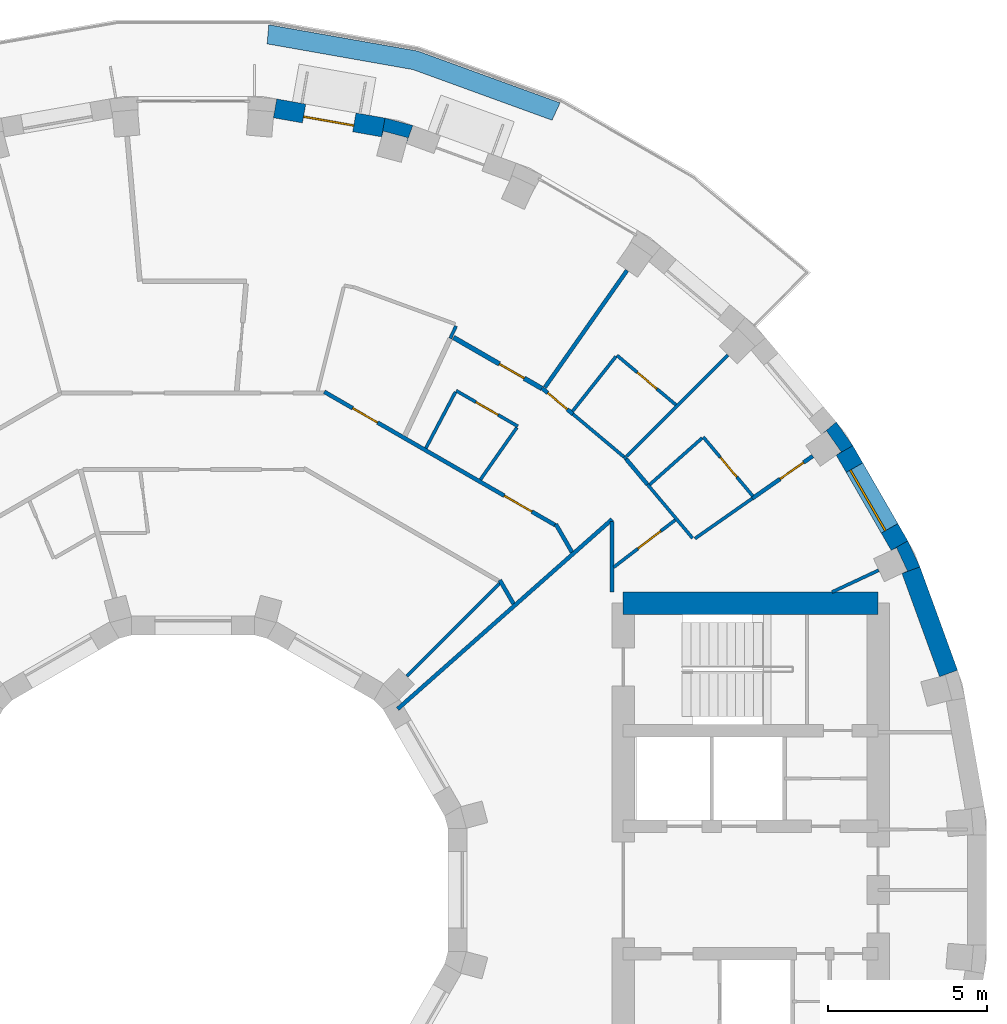
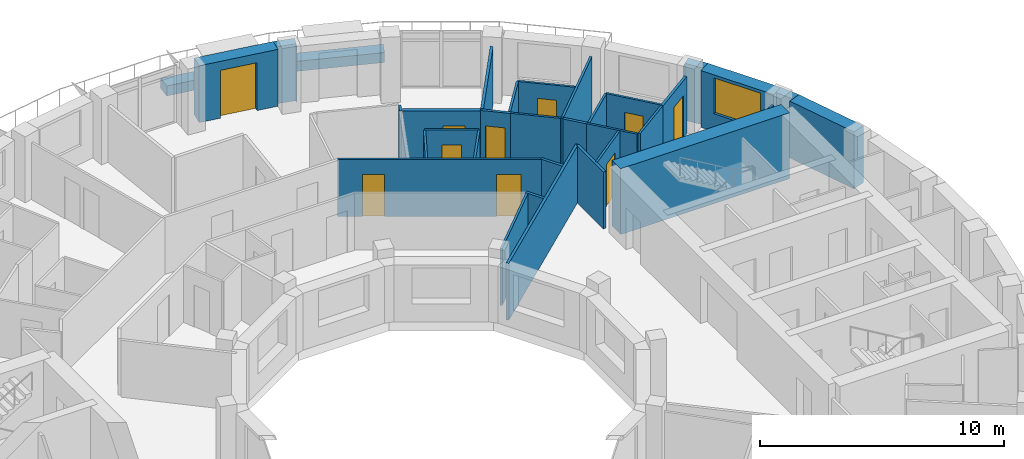
# One storey, part 11 of 13: 34 walls, 10 doors, 1 window, 11 openings.
"""IFC4 building model written with IfcOpenShell, lengths in metres."""

from ifc_helpers import new_model, si_unit, direction, frame, frame_2d, origin, place, context, subcontext, project, spatial, polyline, rectangle, outline, extrude, material, layer, layer_set, type_object, element, fill, save


model = new_model("IFC4")

# Units and contexts
model_context = context("Model", 3, precision=1e-05, world=origin(), true_north=direction((0.0, 1.0)))
body_context = subcontext(model_context, "Body", "Model", "MODEL_VIEW")
ifc_project = project(units=[si_unit("LENGTHUNIT", "METRE"), si_unit("AREAUNIT", "SQUARE_METRE"), si_unit("VOLUMEUNIT", "CUBIC_METRE"), si_unit("PLANEANGLEUNIT", "RADIAN"), si_unit("MASSUNIT", "GRAM", prefix="KILO")], contexts=[model_context])

# Site, building, storey
site_placement = place(None, origin())
site = spatial("IfcSite", under=ifc_project, at=site_placement, CompositionType="ELEMENT")
building_placement = place(site_placement, origin())
building = spatial("IfcBuilding", under=site, at=building_placement, Name="Saqina Gate Tower", CompositionType="ELEMENT")
storey_placement = place(building_placement, frame((0.0, 0.0, 207.0)))
storey = spatial("IfcBuildingStorey", under=building, at=storey_placement, Name="L59", CompositionType="ELEMENT", Elevation=207.0)

# Walls
ifc_material_1 = material(Name="Brick masonry (buff)", Category="masonry")
wall_type_1 = type_object("IfcWallType", Name="BRICK PIER COPING BUFF", PredefinedType="SOLIDWALL", material=ifc_material_1)
wall_1_placement = place(storey_placement, origin())
element("IfcWall", 1, at=wall_1_placement, inside=storey, type_object=wall_type_1, Name="Pier cap L59 column 3", PredefinedType="SOLIDWALL", context=body_context, shape_type="SweptSolid", body=[
    extrude(outline(polyline([(22.4306640625, 10.958740234375), (21.9111328125, 10.65869140625), (22.080810546875, 10.73779296875), (22.4189453125, 10.0126953125), (22.249267578125, 9.93359375), (22.81298828125, 10.138916015625), (22.4306640625, 10.958740234375)])), origin(), (0.0, 0.0, 1.0), 2.85009765625),
])
wall_2_placement = place(storey_placement, origin())
element("IfcWall", 2, at=wall_2_placement, inside=storey, type_object=wall_type_1, Name="Pier cap L59 column 4", PredefinedType="SOLIDWALL", context=body_context, shape_type="SweptSolid", body=[
    extrude(outline(polyline([(20.705810546875, 13.9462890625), (20.18701171875, 14.687255859375), (19.727294921875, 14.301513671875), (19.880859375, 14.408935546875), (20.339599609375, 13.753662109375), (20.186279296875, 13.646240234375), (20.705810546875, 13.9462890625)])), origin(), (0.0, 0.0, 1.0), 2.85009765625),
])
wall_3_placement = place(storey_placement, origin())
element("IfcWall", 3, at=wall_3_placement, inside=storey, type_object=wall_type_1, Name="Pier cap L59 column 8", PredefinedType="SOLIDWALL", context=body_context, shape_type="SweptSolid", body=[
    extrude(outline(polyline([(6.0234375, 24.22705078125), (5.919189453125, 23.635986328125), (5.967529296875, 23.81689453125), (6.740478515625, 23.610107421875), (6.69189453125, 23.428955078125), (6.897216796875, 23.992919921875), (6.0234375, 24.22705078125)])), origin(), (0.0, 0.0, 1.0), 2.85009765625),
])

# Wall, opening, window
ifc_material_2 = material(Name="Brick masonry (buff)", Category="masonry")
ifc_layer_1 = layer(ifc_material_2, 0.60009765625)
ifc_layer_set_1 = layer_set([ifc_layer_1], Name="FW-BRICK-BUFF")
wall_type_2 = type_object("IfcWallType", Name="FW-BRICK-BUFF", PredefinedType="SOLIDWALL", material=ifc_layer_set_1)
wall_4_placement = place(storey_placement, frame((22.1708984375, 10.80859375, 0.0), z_axis=(0.0, 0.0, 1.0), x_axis=(-0.499998129301, 0.86602648383, 0.0)))
wall_4 = element("IfcWall", 4, at=wall_4_placement, inside=storey, type_object=wall_type_2, Name="Facade wall L59 facet 3", PredefinedType="SOLIDWALL", context=body_context, shape_type="SweptSolid", body=[
    extrude(rectangle(XDim=3.44970703125, YDim=0.60009765625, at=frame_2d((1.724853515625, 0.0))), origin(), (0.0, 0.0, 1.0), 2.85009765625),
])
opening_1_placement = place(wall_4_placement, frame((0.625, 0.0, 0.89990234375)))
opening_1 = element("IfcOpeningElement", 5, at=opening_1_placement, cuts=wall_4, Name="Opening G17-W01", PredefinedType="OPENING", context=body_context, shape_type="SweptSolid", body=[
    extrude(rectangle(XDim=2.199951171875, YDim=1.800048828125, at=frame_2d((1.10009765625, 0.89990234375))), frame((0.0, 0.31201171875, 0.0), z_axis=(0.0, -1.0, 0.0), x_axis=(1.0, 0.0, 0.0)), (0.0, 0.0, 1.0), 0.6240234375),
])
ifc_material_3 = material(Name="Aluminium glazing", Category="aluminium")
window_type = type_object("IfcWindowType", Name="WN-C", PartitioningType="SINGLE_PANEL", PredefinedType="WINDOW", material=ifc_material_3)
window_placement = place(opening_1_placement, origin())
window = element("IfcWindow", 6, at=window_placement, inside=storey, type_object=window_type, Name="Window L59 facet 3", OverallHeight=1.800048828125, OverallWidth=2.199951171875, PartitioningType="SINGLE_PANEL", PredefinedType="WINDOW", context=body_context, shape_type="SweptSolid", body=[
    extrude(rectangle(XDim=2.199951171875, YDim=1.800048828125, at=frame_2d((1.10009765625, 0.89990234375))), frame((0.0, 0.179931640625, 0.0), z_axis=(0.0, -1.0, 0.0), x_axis=(1.0, 0.0, 0.0)), (0.0, 0.0, 1.0), 0.06005859375),
])
fill(opening_1, window)

# Wall, opening, door
wall_5_placement = place(storey_placement, frame((5.97119140625, 23.931640625, 0.0), z_axis=(0.0, 0.0, 1.0), x_axis=(-0.984814892183, 0.173607684551, 0.0)))
wall_5 = element("IfcWall", 7, at=wall_5_placement, inside=storey, type_object=wall_type_2, Name="Facade wall L59 facet 8", PredefinedType="SOLIDWALL", context=body_context, shape_type="SweptSolid", body=[
    extrude(rectangle(XDim=3.44970703125, YDim=0.60009765625, at=frame_2d((1.724853515625, 0.0))), origin(), (0.0, 0.0, 1.0), 2.85009765625),
])
opening_2_placement = place(wall_5_placement, frame((0.9248046875, 0.0, 0.0)))
opening_2 = element("IfcOpeningElement", 8, at=opening_2_placement, cuts=wall_5, Name="Opening G17-D81", PredefinedType="OPENING", context=body_context, shape_type="SweptSolid", body=[
    extrude(rectangle(XDim=1.60009765625, YDim=2.39990234375, at=frame_2d((0.800048828125, 1.199951171875))), frame((0.0, 0.31201171875, 0.0), z_axis=(0.0, -1.0, 0.0), x_axis=(1.0, 0.0, 0.0)), (0.0, 0.0, 1.0), 0.6240234375),
])
ifc_material_4 = material(Name="Aluminium glazing", Category="aluminium")
door_type_1 = type_object("IfcDoorType", Name="GD-C", OperationType="DOUBLE_DOOR_SINGLE_SWING", PredefinedType="DOOR", material=ifc_material_4)
door_1_placement = place(opening_2_placement, origin())
door_1 = element("IfcDoor", 9, at=door_1_placement, inside=storey, type_object=door_type_1, Name="Terrace door L59 facet 8", OperationType="DOUBLE_DOOR_SINGLE_SWING", OverallHeight=2.39990234375, OverallWidth=1.60009765625, PredefinedType="DOOR", context=body_context, shape_type="SweptSolid", body=[
    extrude(rectangle(XDim=1.60009765625, YDim=2.39990234375, at=frame_2d((0.800048828125, 1.199951171875))), frame((0.0, 0.125, 0.0), z_axis=(0.0, -1.0, 0.0), x_axis=(1.0, 0.0, 0.0)), (0.0, 0.0, 1.0), 0.050048828125),
])
fill(opening_2, door_1)

# Walls
ifc_material_5 = material(Name="Glazed ceramic tile", Category="ceramic")
ifc_layer_2 = layer(ifc_material_5, 0.60009765625)
ifc_layer_set_2 = layer_set([ifc_layer_2], Name="FW-TILE")
wall_type_3 = type_object("IfcWallType", Name="FW-TILE", PredefinedType="SOLIDWALL", material=ifc_layer_set_2)
wall_6_placement = place(storey_placement, frame((23.7109375, 6.79443359375, 0.0), z_axis=(0.0, 0.0, 1.0), x_axis=(-0.342032843455, 0.93968799822, 0.0)))
element("IfcWall", 10, at=wall_6_placement, inside=storey, type_object=wall_type_3, Name="Facade wall L59 facet 2", PredefinedType="SOLIDWALL", context=body_context, shape_type="SweptSolid", body=[
    extrude(rectangle(XDim=3.44970703125, YDim=0.60009765625, at=frame_2d((1.724853515625, 0.0))), origin(), (0.0, 0.0, 1.0), 2.85009765625),
])
ifc_material_6 = material(Name="Gypsum board on steel studs, 100 mm", Category="steel")
ifc_layer_3 = layer(ifc_material_6, 0.10009765625)
ifc_layer_set_3 = layer_set([ifc_layer_3], Name="PARTITION 100")
wall_type_4 = type_object("IfcWallType", Name="PARTITION 100", PredefinedType="PARTITIONING", material=ifc_layer_set_3)
wall_7_placement = place(storey_placement, frame((13.5283203125, 13.599853515625, 0.0), z_axis=(0.0, 0.0, 1.0), x_axis=(0.643986628051, -0.765036746106, 0.0)))
element("IfcWall", 11, at=wall_7_placement, inside=storey, type_object=wall_type_4, Name="PARTITION PW3-17", PredefinedType="PARTITIONING", context=body_context, shape_type="SweptSolid", body=[
    extrude(rectangle(XDim=0.100830078125, YDim=0.10009765625, at=frame_2d((0.05029296875, 0.0))), origin(), (0.0, 0.0, 1.0), 2.85009765625),
])
wall_8_placement = place(storey_placement, frame((14.26123046875, 12.7275390625, 0.0), z_axis=(0.0, 0.0, 1.0), x_axis=(0.643254486379, -0.76565244449, 0.0)))
element("IfcWall", 12, at=wall_8_placement, inside=storey, type_object=wall_type_4, Name="PARTITION PW3-18", PredefinedType="PARTITIONING", context=body_context, shape_type="SweptSolid", body=[
    extrude(rectangle(XDim=2.2021484375, YDim=0.10009765625, at=frame_2d((1.10107421875, 0.0))), origin(), (0.0, 0.0, 1.0), 2.85009765625),
])

# Wall, opening, door
wall_9_placement = place(storey_placement, frame((16.012939453125, 14.216064453125, 0.0), z_axis=(0.0, 0.0, 1.0), x_axis=(0.642879705086, -0.765967156468, 0.0)))
wall_9 = element("IfcWall", 13, at=wall_9_placement, inside=storey, type_object=wall_type_4, Name="PARTITION PW3-19", PredefinedType="PARTITIONING", context=body_context, shape_type="SweptSolid", body=[
    extrude(rectangle(XDim=2.419921875, YDim=0.10009765625, at=frame_2d((1.2099609375, 0.0))), origin(), (0.0, 0.0, 1.0), 2.85009765625),
])
opening_3_placement = place(wall_9_placement, frame((0.835205078125, 0.0, 0.0)))
opening_3 = element("IfcOpeningElement", 14, at=opening_3_placement, cuts=wall_9, Name="Opening G17-D03", PredefinedType="OPENING", context=body_context, shape_type="SweptSolid", body=[
    extrude(rectangle(XDim=0.800048828125, YDim=2.10009765625, at=frame_2d((0.39990234375, 1.050048828125))), frame((0.0, 0.06201171875, 0.0), z_axis=(0.0, -1.0, 0.0), x_axis=(1.0, 0.0, 0.0)), (0.0, 0.0, 1.0), 0.1240234375),
])
ifc_material_7 = material(Name="Timber door leaf, 800 mm", Category="wood")
door_type_2 = type_object("IfcDoorType", Name="DOOR 800 TIMBER", OperationType="SINGLE_SWING_LEFT", PredefinedType="DOOR", material=ifc_material_7)
door_2_placement = place(opening_3_placement, origin())
door_2 = element("IfcDoor", 15, at=door_2_placement, inside=storey, type_object=door_type_2, Name="DOOR G17-D03", OperationType="SINGLE_SWING_RIGHT", OverallHeight=2.10009765625, OverallWidth=0.800048828125, PredefinedType="DOOR", context=body_context, shape_type="SweptSolid", body=[
    extrude(rectangle(XDim=0.800048828125, YDim=2.10009765625, at=frame_2d((0.39990234375, 1.050048828125))), frame((0.0, 0.02490234375, 0.0), z_axis=(0.0, -1.0, 0.0), x_axis=(1.0, 0.0, 0.0)), (0.0, 0.0, 1.0), 0.050048828125),
])
fill(opening_3, door_2)

# Wall
wall_10_placement = place(storey_placement, frame((11.919921875, 14.93798828125, 0.0), z_axis=(0.0, 0.0, 1.0), x_axis=(0.766132236748, -0.6426829668, 0.0)))
element("IfcWall", 16, at=wall_10_placement, inside=storey, type_object=wall_type_4, Name="PARTITION PW3-24", PredefinedType="PARTITIONING", context=body_context, shape_type="SweptSolid", body=[
    extrude(rectangle(XDim=2.09228515625, YDim=0.10009765625, at=frame_2d((1.046142578125, 0.0))), origin(), (0.0, 0.0, 1.0), 2.85009765625),
])

# Wall, opening, door
wall_11_placement = place(storey_placement, frame((13.301025390625, 16.781005859375, 0.0), z_axis=(0.0, 0.0, 1.0), x_axis=(0.765959173968, -0.642889215817, 0.0)))
wall_11 = element("IfcWall", 17, at=wall_11_placement, inside=storey, type_object=wall_type_4, Name="PARTITION PW3-25", PredefinedType="PARTITIONING", context=body_context, shape_type="SweptSolid", body=[
    extrude(rectangle(XDim=2.420166015625, YDim=0.10009765625, at=frame_2d((1.2099609375, 0.0))), origin(), (0.0, 0.0, 1.0), 2.85009765625),
])
opening_4_placement = place(wall_11_placement, frame((0.835205078125, 0.0, 0.0)))
opening_4 = element("IfcOpeningElement", 18, at=opening_4_placement, cuts=wall_11, Name="Opening G17-D04", PredefinedType="OPENING", context=body_context, shape_type="SweptSolid", body=[
    extrude(rectangle(XDim=0.800048828125, YDim=2.10009765625, at=frame_2d((0.39990234375, 1.050048828125))), frame((0.0, 0.06201171875, 0.0), z_axis=(0.0, -1.0, 0.0), x_axis=(1.0, 0.0, 0.0)), (0.0, 0.0, 1.0), 0.1240234375),
])
door_3_placement = place(opening_4_placement, origin())
door_3 = element("IfcDoor", 19, at=door_3_placement, inside=storey, type_object=door_type_2, Name="DOOR G17-D04", OperationType="SINGLE_SWING_RIGHT", OverallHeight=2.10009765625, OverallWidth=0.800048828125, PredefinedType="DOOR", context=body_context, shape_type="SweptSolid", body=[
    extrude(rectangle(XDim=0.800048828125, YDim=2.10009765625, at=frame_2d((0.39990234375, 1.050048828125))), frame((0.0, 0.02490234375, 0.0), z_axis=(0.0, -1.0, 0.0), x_axis=(1.0, 0.0, 0.0)), (0.0, 0.0, 1.0), 0.050048828125),
])
fill(opening_4, door_3)

wall_12_placement = place(storey_placement, frame((8.257080078125, 15.6708984375, 0.0), z_axis=(0.0, 0.0, 1.0), x_axis=(0.86593977979, -0.500148275791, 0.0)))
wall_12 = element("IfcWall", 20, at=wall_12_placement, inside=storey, type_object=wall_type_4, Name="PARTITION PW3-29", PredefinedType="PARTITIONING", context=body_context, shape_type="SweptSolid", body=[
    extrude(rectangle(XDim=2.233154296875, YDim=0.10009765625, at=frame_2d((1.11669921875, 0.0))), origin(), (0.0, 0.0, 1.0), 2.85009765625),
])
opening_5_placement = place(wall_12_placement, frame((0.716796875, 0.0, 0.0)))
opening_5 = element("IfcOpeningElement", 21, at=opening_5_placement, cuts=wall_12, Name="Opening G17-D08", PredefinedType="OPENING", context=body_context, shape_type="SweptSolid", body=[
    extrude(rectangle(XDim=0.800048828125, YDim=2.10009765625, at=frame_2d((0.39990234375, 1.050048828125))), frame((0.0, 0.06201171875, 0.0), z_axis=(0.0, -1.0, 0.0), x_axis=(1.0, 0.0, 0.0)), (0.0, 0.0, 1.0), 0.1240234375),
])
door_4_placement = place(opening_5_placement, origin())
door_4 = element("IfcDoor", 22, at=door_4_placement, inside=storey, type_object=door_type_2, Name="DOOR G17-D08", OperationType="SINGLE_SWING_RIGHT", OverallHeight=2.10009765625, OverallWidth=0.800048828125, PredefinedType="DOOR", context=body_context, shape_type="SweptSolid", body=[
    extrude(rectangle(XDim=0.800048828125, YDim=2.10009765625, at=frame_2d((0.39990234375, 1.050048828125))), frame((0.0, 0.02490234375, 0.0), z_axis=(0.0, -1.0, 0.0), x_axis=(1.0, 0.0, 0.0)), (0.0, 0.0, 1.0), 0.050048828125),
])
fill(opening_5, door_4)

# Walls
wall_13_placement = place(storey_placement, frame((20.052978515625, 9.35009765625, 0.0), z_axis=(0.0, 0.0, 1.0), x_axis=(0.906055596822, 0.423158664648, 0.0)))
element("IfcWall", 23, at=wall_13_placement, inside=storey, type_object=wall_type_4, Name="PARTITION PW3-41", PredefinedType="PARTITIONING", context=body_context, shape_type="SweptSolid", body=[
    extrude(rectangle(XDim=1.6142578125, YDim=0.10009765625, at=frame_2d((0.80712890625, 0.0))), origin(), (0.0, 0.0, 1.0), 2.85009765625),
])
wall_14_placement = place(storey_placement, frame((15.7509765625, 11.028564453125, 0.0), z_axis=(0.0, 0.0, 1.0), x_axis=(0.819158790137, 0.573566802161, 0.0)))
element("IfcWall", 24, at=wall_14_placement, inside=storey, type_object=wall_type_4, Name="PARTITION PW3-47", PredefinedType="PARTITIONING", context=body_context, shape_type="SweptSolid", body=[
    extrude(rectangle(XDim=2.196044921875, YDim=0.10009765625, at=frame_2d((1.09814453125, 0.0))), origin(), (0.0, 0.0, 1.0), 2.85009765625),
])

# Wall, opening, door
wall_15_placement = place(storey_placement, frame((13.200439453125, 10.12890625, 0.0), z_axis=(0.0, 0.0, 1.0), x_axis=(0.793343125349, 0.608774741149, 0.0)))
wall_15 = element("IfcWall", 25, at=wall_15_placement, inside=storey, type_object=wall_type_4, Name="PARTITION PW3-48", PredefinedType="PARTITIONING", context=body_context, shape_type="SweptSolid", body=[
    extrude(rectangle(XDim=2.433837890625, YDim=0.10009765625, at=frame_2d((1.216796875, 0.0))), origin(), (0.0, 0.0, 1.0), 2.85009765625),
])
opening_6_placement = place(wall_15_placement, frame((0.960693359375, 0.0, 0.0)))
opening_6 = element("IfcOpeningElement", 26, at=opening_6_placement, cuts=wall_15, Name="Opening G17-D02", PredefinedType="OPENING", context=body_context, shape_type="SweptSolid", body=[
    extrude(rectangle(XDim=0.89990234375, YDim=2.10009765625, at=frame_2d((0.449951171875, 1.050048828125))), frame((0.0, 0.06201171875, 0.0), z_axis=(0.0, -1.0, 0.0), x_axis=(1.0, 0.0, 0.0)), (0.0, 0.0, 1.0), 0.1240234375),
])
ifc_material_8 = material(Name="Timber door leaf, 900 mm", Category="wood")
door_type_3 = type_object("IfcDoorType", Name="DOOR 900 TIMBER", OperationType="SINGLE_SWING_LEFT", PredefinedType="DOOR", material=ifc_material_8)
door_5_placement = place(opening_6_placement, frame((0.89990234375, 0.0, 0.0), z_axis=(0.0, 0.0, 1.0), x_axis=(-1.0, 0.0, 0.0)))
door_5 = element("IfcDoor", 27, at=door_5_placement, inside=storey, type_object=door_type_3, Name="DOOR G17-D02", OperationType="SINGLE_SWING_LEFT", OverallHeight=2.10009765625, OverallWidth=0.89990234375, PredefinedType="DOOR", context=body_context, shape_type="SweptSolid", body=[
    extrude(rectangle(XDim=0.89990234375, YDim=2.10009765625, at=frame_2d((0.449951171875, 1.050048828125))), frame((0.0, 0.02490234375, 0.0), z_axis=(0.0, -1.0, 0.0), x_axis=(1.0, 0.0, 0.0)), (0.0, 0.0, 1.0), 0.050048828125),
])
fill(opening_6, door_5)

# Walls
wall_16_placement = place(storey_placement, frame((14.330322265625, 12.72216796875, 0.0), z_axis=(0.0, 0.0, 1.0), x_axis=(0.747807135499, 0.663916024883, 0.0)))
element("IfcWall", 28, at=wall_16_placement, inside=storey, type_object=wall_type_4, Name="PARTITION PW3-51", PredefinedType="PARTITIONING", context=body_context, shape_type="SweptSolid", body=[
    extrude(rectangle(XDim=2.2001953125, YDim=0.10009765625, at=frame_2d((1.10009765625, 0.0))), origin(), (0.0, 0.0, 1.0), 2.85009765625),
])
wall_17_placement = place(storey_placement, frame((6.7119140625, 6.7119140625, 0.0), z_axis=(0.0, 0.0, 1.0), x_axis=(0.707106781187, 0.707106781187, 0.0)))
element("IfcWall", 29, at=wall_17_placement, inside=storey, type_object=wall_type_4, Name="PARTITION PW3-52", PredefinedType="PARTITIONING", context=body_context, shape_type="SweptSolid", body=[
    extrude(rectangle(XDim=4.111083984375, YDim=0.10009765625, at=frame_2d((2.0556640625, 0.0))), origin(), (0.0, 0.0, 1.0), 2.85009765625),
])
wall_18_placement = place(storey_placement, frame((13.605224609375, 13.605224609375, 0.0), z_axis=(0.0, 0.0, 1.0), x_axis=(0.707106781187, 0.707106781187, 0.0)))
element("IfcWall", 30, at=wall_18_placement, inside=storey, type_object=wall_type_4, Name="PARTITION PW3-53", PredefinedType="PARTITIONING", context=body_context, shape_type="SweptSolid", body=[
    extrude(rectangle(XDim=4.499267578125, YDim=0.10009765625, at=frame_2d((2.24951171875, 0.0))), origin(), (0.0, 0.0, 1.0), 2.85009765625),
])
wall_19_placement = place(storey_placement, frame((11.910888671875, 15.027099609375, 0.0), z_axis=(0.0, 0.0, 1.0), x_axis=(0.621191557247, 0.783658758137, 0.0)))
element("IfcWall", 31, at=wall_19_placement, inside=storey, type_object=wall_type_4, Name="PARTITION PW3-54", PredefinedType="PARTITIONING", context=body_context, shape_type="SweptSolid", body=[
    extrude(rectangle(XDim=2.18798828125, YDim=0.10009765625, at=frame_2d((1.093994140625, 0.0))), origin(), (0.0, 0.0, 1.0), 2.85009765625),
])
wall_20_placement = place(storey_placement, frame((9.017822265625, 12.879150390625, 0.0), z_axis=(0.0, 0.0, 1.0), x_axis=(0.573758011137, 0.81902487426, 0.0)))
element("IfcWall", 32, at=wall_20_placement, inside=storey, type_object=wall_type_4, Name="PARTITION PW3-55", PredefinedType="PARTITIONING", context=body_context, shape_type="SweptSolid", body=[
    extrude(rectangle(XDim=1.994873046875, YDim=0.10009765625, at=frame_2d((0.99755859375, 0.0))), origin(), (0.0, 0.0, 1.0), 2.85009765625),
])
wall_21_placement = place(storey_placement, frame((7.30615234375, 13.8671875, 0.0), z_axis=(0.0, 0.0, 1.0), x_axis=(0.466307877011, 0.884622497926, 0.0)))
element("IfcWall", 33, at=wall_21_placement, inside=storey, type_object=wall_type_4, Name="PARTITION PW3-61", PredefinedType="PARTITIONING", context=body_context, shape_type="SweptSolid", body=[
    extrude(rectangle(XDim=1.989013671875, YDim=0.10009765625, at=frame_2d((0.99462890625, 0.0))), origin(), (0.0, 0.0, 1.0), 2.85009765625),
])
wall_22_placement = place(storey_placement, frame((8.072021484375, 17.313720703125, 0.0), z_axis=(0.0, 0.0, 1.0), x_axis=(0.424639138258, 0.905362691003, 0.0)))
element("IfcWall", 34, at=wall_22_placement, inside=storey, type_object=wall_type_4, Name="PARTITION PW3-62", PredefinedType="PARTITIONING", context=body_context, shape_type="SweptSolid", body=[
    extrude(rectangle(XDim=0.426513671875, YDim=0.10009765625, at=frame_2d((0.21337890625, 0.0))), origin(), (0.0, 0.0, 1.0), 2.85009765625),
])
ifc_material_9 = material(Name="Gypsum board on steel studs, 125 mm, fire rated", Category="steel")
ifc_layer_4 = layer(ifc_material_9, 0.125)
ifc_layer_set_4 = layer_set([ifc_layer_4], Name="PARTITION EI 30 125")
wall_type_5 = type_object("IfcWallType", Name="PARTITION EI 30 125", PredefinedType="PARTITIONING", material=ifc_layer_set_4)
wall_23_placement = place(storey_placement, frame((9.62548828125, 9.727783203125, 0.0), z_axis=(0.0, 0.0, 1.0), x_axis=(0.500456591983, -0.865761629746, 0.0)))
element("IfcWall", 35, at=wall_23_placement, inside=storey, type_object=wall_type_5, Name="PARTITION PW1-04", PredefinedType="PARTITIONING", context=body_context, shape_type="SweptSolid", body=[
    extrude(rectangle(XDim=0.863525390625, YDim=0.125, at=frame_2d((0.431640625, 0.0))), origin(), (0.0, 0.0, 1.0), 2.85009765625),
])
wall_24_placement = place(storey_placement, frame((11.3837890625, 11.482421875, 0.0), z_axis=(0.0, 0.0, 1.0), x_axis=(0.500249562609, -0.865881270792, 0.0)))
element("IfcWall", 36, at=wall_24_placement, inside=storey, type_object=wall_type_5, Name="PARTITION PW1-05", PredefinedType="PARTITIONING", context=body_context, shape_type="SweptSolid", body=[
    extrude(rectangle(XDim=1.015625, YDim=0.125, at=frame_2d((0.5078125, 0.0))), origin(), (0.0, 0.0, 1.0), 2.85009765625),
])
wall_25_placement = place(storey_placement, frame((13.59326171875, 13.522705078125, 0.0), z_axis=(0.0, 0.0, 1.0), x_axis=(0.642817053057, -0.766019736233, 0.0)))
element("IfcWall", 37, at=wall_25_placement, inside=storey, type_object=wall_type_5, Name="PARTITION PW1-06", PredefinedType="PARTITIONING", context=body_context, shape_type="SweptSolid", body=[
    extrude(rectangle(XDim=1.038330078125, YDim=0.125, at=frame_2d((0.51904296875, 0.0))), origin(), (0.0, 0.0, 1.0), 2.85009765625),
])

# Wall, opening, door
wall_26_placement = place(storey_placement, frame((10.951416015625, 15.750732421875, 0.0), z_axis=(0.0, 0.0, 1.0), x_axis=(0.76592162119, -0.642933954768, 0.0)))
wall_26 = element("IfcWall", 38, at=wall_26_placement, inside=storey, type_object=wall_type_5, Name="PARTITION PW1-12", PredefinedType="PARTITIONING", context=body_context, shape_type="SweptSolid", body=[
    extrude(rectangle(XDim=1.264404296875, YDim=0.125, at=frame_2d((0.63232421875, 0.0))), origin(), (0.0, 0.0, 1.0), 2.85009765625),
])
opening_7_placement = place(wall_26_placement, frame((0.232666015625, 0.0, 0.0)))
opening_7 = element("IfcOpeningElement", 39, at=opening_7_placement, cuts=wall_26, Name="Opening G17-D06", PredefinedType="OPENING", context=body_context, shape_type="SweptSolid", body=[
    extrude(rectangle(XDim=0.800048828125, YDim=2.10009765625, at=frame_2d((0.39990234375, 1.050048828125))), frame((0.0, 0.074462890625, 0.0), z_axis=(0.0, -1.0, 0.0), x_axis=(1.0, 0.0, 0.0)), (0.0, 0.0, 1.0), 0.14892578125),
])
ifc_material_10 = material(Name="Fire door leaf EI 30, 800 mm")
door_type_4 = type_object("IfcDoorType", Name="DOOR 800 EI 30", OperationType="SINGLE_SWING_LEFT", PredefinedType="DOOR", material=ifc_material_10)
door_6_placement = place(opening_7_placement, frame((0.800048828125, 0.0, 0.0), z_axis=(0.0, 0.0, 1.0), x_axis=(-1.0, 0.0, 0.0)))
door_6 = element("IfcDoor", 40, at=door_6_placement, inside=storey, type_object=door_type_4, Name="DOOR G17-D06", OperationType="SINGLE_SWING_RIGHT", OverallHeight=2.10009765625, OverallWidth=0.800048828125, PredefinedType="DOOR", context=body_context, shape_type="SweptSolid", body=[
    extrude(rectangle(XDim=0.800048828125, YDim=2.10009765625, at=frame_2d((0.39990234375, 1.050048828125))), frame((0.0, 0.02490234375, 0.0), z_axis=(0.0, -1.0, 0.0), x_axis=(1.0, 0.0, 0.0)), (0.0, 0.0, 1.0), 0.050048828125),
])
fill(opening_7, door_6)

# Wall, openings, doors
wall_27_placement = place(storey_placement, frame((4.117431640625, 15.635986328125, 0.0), z_axis=(0.0, 0.0, 1.0), x_axis=(0.866032091518, -0.499988416326, 0.0)))
wall_27 = element("IfcWall", 41, at=wall_27_placement, inside=storey, type_object=wall_type_5, Name="PARTITION PW1-18", PredefinedType="PARTITIONING", context=body_context, shape_type="SweptSolid", body=[
    extrude(rectangle(XDim=8.369873046875, YDim=0.125, at=frame_2d((4.18505859375, 0.0))), origin(), (0.0, 0.0, 1.0), 2.85009765625),
])
opening_8_placement = place(wall_27_placement, frame((6.5244140625, 0.0, 0.0)))
opening_8 = element("IfcOpeningElement", 42, at=opening_8_placement, cuts=wall_27, Name="Opening G17-D05", PredefinedType="OPENING", context=body_context, shape_type="SweptSolid", body=[
    extrude(rectangle(XDim=1.0, YDim=2.10009765625, at=frame_2d((0.5, 1.050048828125))), frame((0.0, 0.074462890625, 0.0), z_axis=(0.0, -1.0, 0.0), x_axis=(1.0, 0.0, 0.0)), (0.0, 0.0, 1.0), 0.14892578125),
])
opening_9_placement = place(wall_27_placement, frame((1.02978515625, 0.0, 0.0)))
opening_9 = element("IfcOpeningElement", 43, at=opening_9_placement, cuts=wall_27, Name="Opening G17-D09", PredefinedType="OPENING", context=body_context, shape_type="SweptSolid", body=[
    extrude(rectangle(XDim=0.89990234375, YDim=2.10009765625, at=frame_2d((0.449951171875, 1.050048828125))), frame((0.0, 0.074462890625, 0.0), z_axis=(0.0, -1.0, 0.0), x_axis=(1.0, 0.0, 0.0)), (0.0, 0.0, 1.0), 0.14892578125),
])
ifc_material_11 = material(Name="Fire door leaf EI 30, 1000 mm")
door_type_5 = type_object("IfcDoorType", Name="DOOR 1000 EI 30", OperationType="SINGLE_SWING_LEFT", PredefinedType="DOOR", material=ifc_material_11)
door_7_placement = place(opening_8_placement, origin())
door_7 = element("IfcDoor", 44, at=door_7_placement, inside=storey, type_object=door_type_5, Name="DOOR G17-D05", OperationType="SINGLE_SWING_RIGHT", OverallHeight=2.10009765625, OverallWidth=1.0, PredefinedType="DOOR", context=body_context, shape_type="SweptSolid", body=[
    extrude(rectangle(XDim=1.0, YDim=2.10009765625, at=frame_2d((0.5, 1.050048828125))), frame((0.0, 0.02490234375, 0.0), z_axis=(0.0, -1.0, 0.0), x_axis=(1.0, 0.0, 0.0)), (0.0, 0.0, 1.0), 0.050048828125),
])
fill(opening_8, door_7)
ifc_material_12 = material(Name="Fire door leaf EI 30, 900 mm")
door_type_6 = type_object("IfcDoorType", Name="DOOR 900 EI 30", OperationType="SINGLE_SWING_LEFT", PredefinedType="DOOR", material=ifc_material_12)
door_8_placement = place(opening_9_placement, origin())
door_8 = element("IfcDoor", 45, at=door_8_placement, inside=storey, type_object=door_type_6, Name="DOOR G17-D09", OperationType="SINGLE_SWING_LEFT", OverallHeight=2.10009765625, OverallWidth=0.89990234375, PredefinedType="DOOR", context=body_context, shape_type="SweptSolid", body=[
    extrude(rectangle(XDim=0.89990234375, YDim=2.10009765625, at=frame_2d((0.449951171875, 1.050048828125))), frame((0.0, 0.02490234375, 0.0), z_axis=(0.0, -1.0, 0.0), x_axis=(1.0, 0.0, 0.0)), (0.0, 0.0, 1.0), 0.050048828125),
])
fill(opening_9, door_8)

# Wall, opening, door
wall_28_placement = place(storey_placement, frame((17.5498046875, 12.2880859375, 0.0), z_axis=(0.0, 0.0, 1.0), x_axis=(0.818914823112, 0.573915074282, 0.0)))
wall_28 = element("IfcWall", 46, at=wall_28_placement, inside=storey, type_object=wall_type_5, Name="PARTITION PW1-33", PredefinedType="PARTITIONING", context=body_context, shape_type="SweptSolid", body=[
    extrude(rectangle(XDim=2.31591796875, YDim=0.125, at=frame_2d((1.157958984375, 0.0))), origin(), (0.0, 0.0, 1.0), 2.85009765625),
])
opening_10_placement = place(wall_28_placement, frame((1.06787109375, 0.0, 0.0)))
opening_10 = element("IfcOpeningElement", 47, at=opening_10_placement, cuts=wall_28, Name="Opening G17-D01", PredefinedType="OPENING", context=body_context, shape_type="SweptSolid", body=[
    extrude(rectangle(XDim=0.89990234375, YDim=2.10009765625, at=frame_2d((0.449951171875, 1.050048828125))), frame((0.0, 0.074462890625, 0.0), z_axis=(0.0, -1.0, 0.0), x_axis=(1.0, 0.0, 0.0)), (0.0, 0.0, 1.0), 0.14892578125),
])
door_9_placement = place(opening_10_placement, frame((0.89990234375, 0.0, 0.0), z_axis=(0.0, 0.0, 1.0), x_axis=(-1.0, 0.0, 0.0)))
door_9 = element("IfcDoor", 48, at=door_9_placement, inside=storey, type_object=door_type_6, Name="DOOR G17-D01", OperationType="SINGLE_SWING_LEFT", OverallHeight=2.10009765625, OverallWidth=0.89990234375, PredefinedType="DOOR", context=body_context, shape_type="SweptSolid", body=[
    extrude(rectangle(XDim=0.89990234375, YDim=2.10009765625, at=frame_2d((0.449951171875, 1.050048828125))), frame((0.0, 0.02490234375, 0.0), z_axis=(0.0, -1.0, 0.0), x_axis=(1.0, 0.0, 0.0)), (0.0, 0.0, 1.0), 0.050048828125),
])
fill(opening_10, door_9)

# Walls
wall_29_placement = place(storey_placement, frame((6.419921875, 5.679931640625, 0.0), z_axis=(0.0, 0.0, 1.0), x_axis=(0.748960259926, 0.662614917619, 0.0)))
element("IfcWall", 49, at=wall_29_placement, inside=storey, type_object=wall_type_5, Name="PARTITION PW1-38", PredefinedType="PARTITIONING", context=body_context, shape_type="SweptSolid", body=[
    extrude(rectangle(XDim=8.98583984375, YDim=0.125, at=frame_2d((4.492919921875, 0.0))), origin(), (0.0, 0.0, 1.0), 2.85009765625),
])
wall_30_placement = place(storey_placement, frame((11.0419921875, 15.776611328125, 0.0), z_axis=(0.0, 0.0, 1.0), x_axis=(0.574967193178, 0.818176464321, 0.0)))
element("IfcWall", 50, at=wall_30_placement, inside=storey, type_object=wall_type_5, Name="PARTITION PW1-39", PredefinedType="PARTITIONING", context=body_context, shape_type="SweptSolid", body=[
    extrude(rectangle(XDim=4.483154296875, YDim=0.125, at=frame_2d((2.24169921875, 0.0))), origin(), (0.0, 0.0, 1.0), 2.85009765625),
])
wall_31_placement = place(storey_placement, frame((13.14990234375, 9.35107421875, 0.0), z_axis=(0.0, 0.0, 1.0), x_axis=(0.0, 1.0, 0.0)))
element("IfcWall", 51, at=wall_31_placement, inside=storey, type_object=wall_type_5, Name="PARTITION PW1-47", PredefinedType="PARTITIONING", context=body_context, shape_type="SweptSolid", body=[
    extrude(rectangle(XDim=2.220458984375, YDim=0.125, at=frame_2d((1.1103515625, 0.0))), origin(), (0.0, 0.0, 1.0), 2.85009765625),
])

# Wall, opening, door
ifc_material_13 = material(Name="Gypsum board on steel studs, 150 mm, fire rated", Category="steel")
ifc_layer_5 = layer(ifc_material_13, 0.14990234375)
ifc_layer_set_5 = layer_set([ifc_layer_5], Name="PARTITION EI 60 150")
wall_type_6 = type_object("IfcWallType", Name="PARTITION EI 60 150", PredefinedType="PARTITIONING", material=ifc_layer_set_5)
wall_32_placement = place(storey_placement, frame((8.171875, 17.34228515625, 0.0), z_axis=(0.0, 0.0, 1.0), x_axis=(0.866086584464, -0.499894016979, 0.0)))
wall_32 = element("IfcWall", 52, at=wall_32_placement, inside=storey, type_object=wall_type_6, Name="PARTITION PW2-03", PredefinedType="PARTITIONING", context=body_context, shape_type="SweptSolid", body=[
    extrude(rectangle(XDim=3.202880859375, YDim=0.14990234375, at=frame_2d((1.6015625, 0.0))), origin(), (0.0, 0.0, 1.0), 2.85009765625),
])
opening_11_placement = place(wall_32_placement, frame((1.663818359375, 0.0, 0.0)))
opening_11 = element("IfcOpeningElement", 53, at=opening_11_placement, cuts=wall_32, Name="Opening G17-D07", PredefinedType="OPENING", context=body_context, shape_type="SweptSolid", body=[
    extrude(rectangle(XDim=0.89990234375, YDim=2.10009765625, at=frame_2d((0.449951171875, 1.050048828125))), frame((0.0, 0.0869140625, 0.0), z_axis=(0.0, -1.0, 0.0), x_axis=(1.0, 0.0, 0.0)), (0.0, 0.0, 1.0), 0.173828125),
])
door_10_placement = place(opening_11_placement, origin())
door_10 = element("IfcDoor", 54, at=door_10_placement, inside=storey, type_object=door_type_6, Name="DOOR G17-D07", OperationType="SINGLE_SWING_RIGHT", OverallHeight=2.10009765625, OverallWidth=0.89990234375, PredefinedType="DOOR", context=body_context, shape_type="SweptSolid", body=[
    extrude(rectangle(XDim=0.89990234375, YDim=2.10009765625, at=frame_2d((0.449951171875, 1.050048828125))), frame((0.0, 0.02490234375, 0.0), z_axis=(0.0, -1.0, 0.0), x_axis=(1.0, 0.0, 0.0)), (0.0, 0.0, 1.0), 0.050048828125),
])
fill(opening_11, door_10)

# Walls
ifc_material_14 = material(Name="Brick masonry (red)", Category="masonry")
ifc_layer_6 = layer(ifc_material_14, 0.60009765625)
ifc_layer_set_6 = layer_set([ifc_layer_6], Name="PL-PLANTER")
wall_type_7 = type_object("IfcWallType", Name="PL-PLANTER", PredefinedType="PARAPET", material=ifc_layer_set_6)
wall_33_placement = place(storey_placement, origin())
element("IfcWall", 55, at=wall_33_placement, inside=storey, type_object=wall_type_7, Name="Planter L59", PredefinedType="PARAPET", context=body_context, shape_type="SweptSolid", body=[
    extrude(outline(polyline([(11.52001953125, 24.70458984375), (7.054931640625, 26.329833984375), (2.375732421875, 27.15478515625), (2.3232421875, 26.554931640625), (6.899169921875, 25.748046875), (11.265380859375, 24.15869140625), (11.52001953125, 24.70458984375)])), origin(), (0.0, 0.0, 1.0), 0.5),
])
ifc_material_15 = material(Name="Concrete C60/75", Category="concrete")
ifc_layer_7 = layer(ifc_material_15, 0.699951171875)
ifc_layer_set_7 = layer_set([ifc_layer_7], Name="Concrete C60/75")
wall_type_8 = type_object("IfcWallType", Name="STR-CORE WALL-C-O", PredefinedType="SHEAR", material=ifc_layer_set_7)
wall_34_placement = place(storey_placement, frame((13.5, 9.0, 0.0), z_axis=(0.0, 0.0, 1.0), x_axis=(1.0, 0.0, 0.0)))
element("IfcWall", 56, at=wall_34_placement, inside=storey, type_object=wall_type_8, Name="CORE WALL L59 E-NE", PredefinedType="SHEAR", context=body_context, shape_type="SweptSolid", body=[
    extrude(rectangle(XDim=8.0, YDim=0.699951171875, at=frame_2d((4.0, 0.0))), origin(), (0.0, 0.0, 1.0), 3.300048828125),
])

save(model, "model.ifc")
